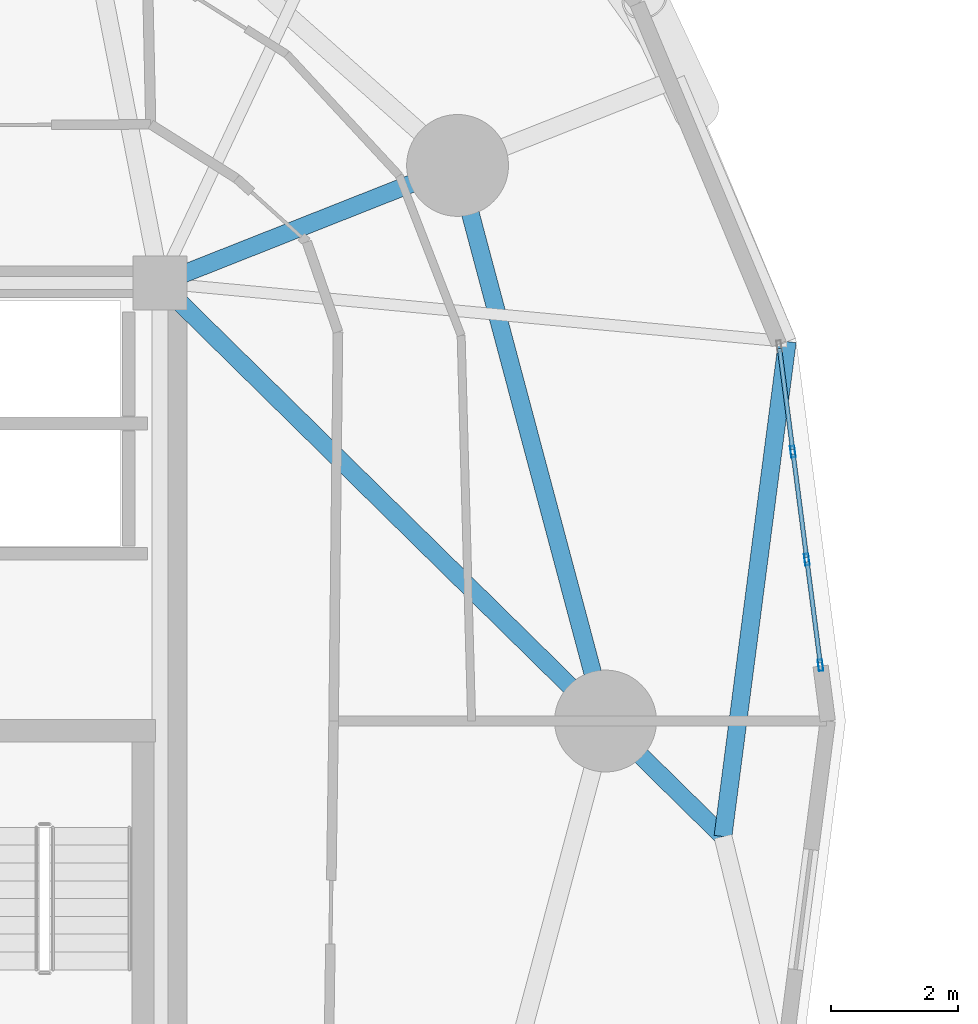
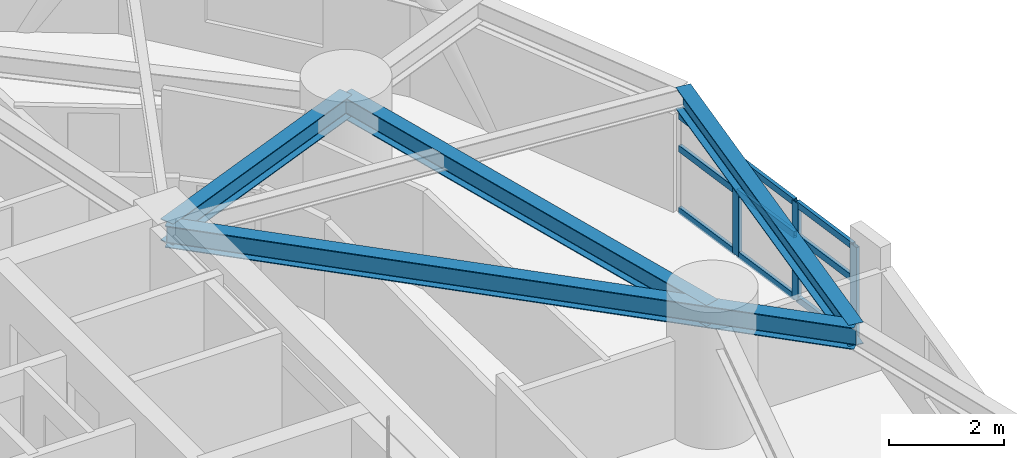
# One storey, part 2 of 16: 12 members, 4 beams, 1 element without a shape of its own.
"""IFC4 building model written with IfcOpenShell, lengths in metres."""

from ifc_helpers import new_model, si_unit, direction, frame, origin, origin_2d, place, context, subcontext, project, spatial, hollow_rectangle, i_section, extrude, material, layer, layer_set, material_profile, profile_set, type_object, element, aggregate, save


model = new_model("IFC4")

# Units and contexts
model_context = context("Model", 3, precision=1e-05, world=origin(), true_north=direction((0.0, 1.0)))
body_context = subcontext(model_context, "Body", "Model", "MODEL_VIEW")
ifc_project = project(units=[si_unit("LENGTHUNIT", "METRE"), si_unit("AREAUNIT", "SQUARE_METRE"), si_unit("VOLUMEUNIT", "CUBIC_METRE"), si_unit("PLANEANGLEUNIT", "RADIAN"), si_unit("MASSUNIT", "GRAM", prefix="KILO")], contexts=[model_context])

# Site, building, storey
site_placement = place(None, origin())
site = spatial("IfcSite", under=ifc_project, at=site_placement, CompositionType="ELEMENT")
building_placement = place(site_placement, origin())
building = spatial("IfcBuilding", under=site, at=building_placement, Name="Cununo Teusaquillo Station Towers", CompositionType="ELEMENT")
storey_placement = place(building_placement, frame((0.0, 0.0, 62.739990234375)))
storey = spatial("IfcBuildingStorey", under=building, at=storey_placement, Name="L19", CompositionType="ELEMENT", Elevation=62.739990234375)

# Beams
ifc_material_1 = material(Name="Steel ASTM A572 Grade 50", Category="steel")
ifc_material_profile_1 = material_profile(ifc_material_1, i_section(OverallWidth=0.280029296875, OverallDepth=0.462890625, WebThickness=0.0107421875, FlangeThickness=0.017333984375, FilletRadius=0.013916015625, at=origin_2d()), Name="W18X76")
ifc_profile_set_1 = profile_set([ifc_material_profile_1], Name="Steel ASTM A572 Grade 50")
beam_type_1 = type_object("IfcBeamType", Name="BM-RAD-G1", PredefinedType="BEAM", material=ifc_profile_set_1)
beam_1_placement = place(storey_placement, frame((21.675048828125, 31.3798828125, 2.338623046875), z_axis=(0.713047137857, -0.701116095375, 0.0), x_axis=(0.701116095375, 0.713047137857, 0.0)))
element("IfcBeam", 1, at=beam_1_placement, inside=storey, type_object=beam_type_1, Name="L19 Tower A Continuous Overhanging Radial Girder 01", PredefinedType="BEAM", context=body_context, shape_type="SweptSolid", body=[
    extrude(i_section(OverallWidth=0.280029296875, OverallDepth=0.462890625, WebThickness=0.0107421875, FlangeThickness=0.017333984375, FilletRadius=0.013916015625, at=origin_2d()), origin(), (0.0, 0.0, 1.0), 12.400390625),
])
beam_2_placement = place(storey_placement, frame((21.675048828125, 31.3798828125, 2.338623046875), z_axis=(0.929864104313, 0.367903176814, 0.0), x_axis=(-0.367903176814, 0.929864104313, 0.0)))
element("IfcBeam", 2, at=beam_2_placement, inside=storey, type_object=beam_type_1, Name="L19 Tower A Radial Girder 02A", PredefinedType="BEAM", context=body_context, shape_type="SweptSolid", body=[
    extrude(i_section(OverallWidth=0.280029296875, OverallDepth=0.462890625, WebThickness=0.0107421875, FlangeThickness=0.017333984375, FilletRadius=0.013916015625, at=origin_2d()), origin(), (0.0, 0.0, 1.0), 5.02490234375),
])
ifc_material_2 = material(Name="Steel ASTM A572 Grade 50", Category="steel")
ifc_material_profile_2 = material_profile(ifc_material_2, i_section(OverallWidth=0.280029296875, OverallDepth=0.462890625, WebThickness=0.0107421875, FlangeThickness=0.017333984375, FilletRadius=0.013916015625, at=origin_2d()), Name="W18X76")
ifc_profile_set_2 = profile_set([ifc_material_profile_2], Name="Steel ASTM A572 Grade 50")
beam_type_2 = type_object("IfcBeamType", Name="BM-RING-Z2", PredefinedType="SPANDREL", material=ifc_profile_set_2)
beam_3_placement = place(storey_placement, frame((28.672119140625, 24.5, 2.338623046875), z_axis=(-0.257363196347, 0.966314744359, 0.0), x_axis=(-0.966314744359, -0.257363196347, 0.0)))
element("IfcBeam", 3, at=beam_3_placement, inside=storey, type_object=beam_type_2, Name="L19 Tower A Structural Column Ring Girder 01", PredefinedType="SPANDREL", context=body_context, shape_type="SweptSolid", body=[
    extrude(i_section(OverallWidth=0.280029296875, OverallDepth=0.462890625, WebThickness=0.0107421875, FlangeThickness=0.017333984375, FilletRadius=0.013916015625, at=origin_2d()), origin(), (0.0, 0.0, 1.0), 9.03271484375),
])
beam_4_placement = place(storey_placement, frame((30.51708984375, 22.685791015625, 2.338623046875), z_axis=(0.12888124113, 0.991660035337, 0.0), x_axis=(-0.991660035337, 0.12888124113, 0.0)))
element("IfcBeam", 4, at=beam_4_placement, inside=storey, type_object=beam_type_2, Name="L19 Tower A Spandrel Ring Beam 01", PredefinedType="SPANDREL", context=body_context, shape_type="SweptSolid", body=[
    extrude(i_section(OverallWidth=0.280029296875, OverallDepth=0.462890625, WebThickness=0.0107421875, FlangeThickness=0.017333984375, FilletRadius=0.013916015625, at=origin_2d()), origin(), (0.0, 0.0, 1.0), 7.840576171875),
])

# Curtain wall, members
ifc_material_3 = material(Name="Operable acoustic tinted low-E double glazing", Category="glass")
ifc_layer = layer(ifc_material_3, 0.179931640625)
ifc_layer_set = layer_set([ifc_layer], Name="Operable acoustic tinted low-E double glazing")
curtain_wall_type = type_object("IfcCurtainWallType", Name="CW-SYS-03", PredefinedType="USERDEFINED", material=ifc_layer_set)
curtain_wall_placement = place(storey_placement, origin())
curtain_wall = element("IfcCurtainWall", 5, at=curtain_wall_placement, inside=storey, type_object=curtain_wall_type, Name="L19 Tower A Facade Curtain Wall C00", ObjectType="OPERABLE GLAZING", PredefinedType="USERDEFINED")
ifc_material_4 = material(Name="Anodised dark bronze aluminium EN AW-6063-T6", Category="aluminium")
ifc_material_profile_3 = material_profile(ifc_material_4, hollow_rectangle(XDim=0.070068359375, YDim=0.179931640625, WallThickness=0.00390625, at=origin_2d()), Name="CW-MULL-70x180")
ifc_profile_set_3 = profile_set([ifc_material_profile_3], Name="Anodised dark bronze aluminium EN AW-6063-T6")
member_type_1 = type_object("IfcMemberType", Name="CWM-180", PredefinedType="MULLION", material=ifc_profile_set_3)
member_1_placement = place(storey_placement, frame((31.615478515625, 28.730224609375, 0.0), z_axis=(0.0, 0.0, 1.0), x_axis=(0.99173073067, 0.128336112783, 0.0)))
member_1 = element("IfcMember", 6, at=member_1_placement, type_object=member_type_1, Name="CW-03 mullion 2", PredefinedType="MULLION", context=body_context, shape_type="SweptSolid", body=[
    extrude(hollow_rectangle(XDim=0.070068359375, YDim=0.179931640625, WallThickness=0.00390625, at=origin_2d()), origin(), (0.0, 0.0, 1.0), 2.0791015625),
])
member_2_placement = place(storey_placement, frame((31.834716796875, 27.03662109375, 0.0), z_axis=(0.0, 0.0, 1.0), x_axis=(0.99173073067, 0.128336112783, 0.0)))
member_2 = element("IfcMember", 7, at=member_2_placement, type_object=member_type_1, Name="CW-03 mullion 3", PredefinedType="MULLION", context=body_context, shape_type="SweptSolid", body=[
    extrude(hollow_rectangle(XDim=0.070068359375, YDim=0.179931640625, WallThickness=0.00390625, at=origin_2d()), origin(), (0.0, 0.0, 1.0), 2.0791015625),
])
member_3_placement = place(storey_placement, frame((32.04931640625, 25.377685546875, 0.0), z_axis=(0.0, 0.0, 1.0), x_axis=(0.99173073067, 0.128336112783, 0.0)))
member_3 = element("IfcMember", 8, at=member_3_placement, type_object=member_type_1, Name="CW-03 mullion 4", PredefinedType="MULLION", context=body_context, shape_type="SweptSolid", body=[
    extrude(hollow_rectangle(XDim=0.070068359375, YDim=0.179931640625, WallThickness=0.00390625, at=origin_2d()), origin(), (0.0, 0.0, 1.0), 2.0791015625),
])
ifc_material_5 = material(Name="Anodised dark bronze aluminium EN AW-6063-T6", Category="aluminium")
ifc_material_profile_4 = material_profile(ifc_material_5, hollow_rectangle(XDim=0.070068359375, YDim=0.139892578125, WallThickness=0.00390625, at=origin_2d()), Name="CW-TRAN-70x140")
ifc_profile_set_4 = profile_set([ifc_material_profile_4], Name="Anodised dark bronze aluminium EN AW-6063-T6")
member_type_2 = type_object("IfcMemberType", Name="CWT-140", PredefinedType="USERDEFINED", material=ifc_profile_set_4)
member_4_placement = place(storey_placement, frame((31.4052734375, 30.3544921875, 0.034912109375), z_axis=(0.128401455372, -0.991722272745, 0.0), x_axis=(0.991722272745, 0.128401455372, 0.0)))
member_4 = element("IfcMember", 9, at=member_4_placement, type_object=member_type_2, Name="CW-03 transom 1.1", ObjectType="TRANSOM", PredefinedType="USERDEFINED", context=body_context, shape_type="SweptSolid", body=[
    extrude(hollow_rectangle(XDim=0.070068359375, YDim=0.139892578125, WallThickness=0.00390625, at=origin_2d()), origin(), (0.0, 0.0, 1.0), 1.602783203125),
])
member_5_placement = place(storey_placement, frame((31.4052734375, 30.3544921875, 1.35107421875), z_axis=(0.128401455372, -0.991722272745, 0.0), x_axis=(0.991722272745, 0.128401455372, 0.0)))
member_5 = element("IfcMember", 10, at=member_5_placement, type_object=member_type_2, Name="CW-03 transom 1.2", ObjectType="TRANSOM", PredefinedType="USERDEFINED", context=body_context, shape_type="SweptSolid", body=[
    extrude(hollow_rectangle(XDim=0.070068359375, YDim=0.139892578125, WallThickness=0.00390625, at=origin_2d()), origin(), (0.0, 0.0, 1.0), 1.602783203125),
])
member_6_placement = place(storey_placement, frame((31.4052734375, 30.3544921875, 2.0439453125), z_axis=(0.128401455372, -0.991722272745, 0.0), x_axis=(0.991722272745, 0.128401455372, 0.0)))
member_6 = element("IfcMember", 11, at=member_6_placement, type_object=member_type_2, Name="CW-03 transom 1.3", ObjectType="TRANSOM", PredefinedType="USERDEFINED", context=body_context, shape_type="SweptSolid", body=[
    extrude(hollow_rectangle(XDim=0.070068359375, YDim=0.139892578125, WallThickness=0.00390625, at=origin_2d()), origin(), (0.0, 0.0, 1.0), 1.602783203125),
])
member_7_placement = place(storey_placement, frame((31.6201171875, 28.695556640625, 0.034912109375), z_axis=(0.128344982832, -0.99172958279, 0.0), x_axis=(0.99172958279, 0.128344982832, 0.0)))
member_7 = element("IfcMember", 12, at=member_7_placement, type_object=member_type_2, Name="CW-03 transom 2.1", ObjectType="TRANSOM", PredefinedType="USERDEFINED", context=body_context, shape_type="SweptSolid", body=[
    extrude(hollow_rectangle(XDim=0.070068359375, YDim=0.139892578125, WallThickness=0.00390625, at=origin_2d()), origin(), (0.0, 0.0, 1.0), 1.6376953125),
])
member_8_placement = place(storey_placement, frame((31.6201171875, 28.695556640625, 1.35107421875), z_axis=(0.128344982832, -0.99172958279, 0.0), x_axis=(0.99172958279, 0.128344982832, 0.0)))
member_8 = element("IfcMember", 13, at=member_8_placement, type_object=member_type_2, Name="CW-03 transom 2.2", ObjectType="TRANSOM", PredefinedType="USERDEFINED", context=body_context, shape_type="SweptSolid", body=[
    extrude(hollow_rectangle(XDim=0.070068359375, YDim=0.139892578125, WallThickness=0.00390625, at=origin_2d()), origin(), (0.0, 0.0, 1.0), 1.6376953125),
])
member_9_placement = place(storey_placement, frame((31.6201171875, 28.695556640625, 2.0439453125), z_axis=(0.128344982832, -0.99172958279, 0.0), x_axis=(0.99172958279, 0.128344982832, 0.0)))
member_9 = element("IfcMember", 14, at=member_9_placement, type_object=member_type_2, Name="CW-03 transom 2.3", ObjectType="TRANSOM", PredefinedType="USERDEFINED", context=body_context, shape_type="SweptSolid", body=[
    extrude(hollow_rectangle(XDim=0.070068359375, YDim=0.139892578125, WallThickness=0.00390625, at=origin_2d()), origin(), (0.0, 0.0, 1.0), 1.6376953125),
])
member_10_placement = place(storey_placement, frame((31.839111328125, 27.001953125, 0.034912109375), z_axis=(0.128401455372, -0.991722272745, 0.0), x_axis=(0.991722272745, 0.128401455372, 0.0)))
member_10 = element("IfcMember", 15, at=member_10_placement, type_object=member_type_2, Name="CW-03 transom 3.1", ObjectType="TRANSOM", PredefinedType="USERDEFINED", context=body_context, shape_type="SweptSolid", body=[
    extrude(hollow_rectangle(XDim=0.070068359375, YDim=0.139892578125, WallThickness=0.00390625, at=origin_2d()), origin(), (0.0, 0.0, 1.0), 1.602783203125),
])
member_11_placement = place(storey_placement, frame((31.839111328125, 27.001953125, 1.35107421875), z_axis=(0.128401455372, -0.991722272745, 0.0), x_axis=(0.991722272745, 0.128401455372, 0.0)))
member_11 = element("IfcMember", 16, at=member_11_placement, type_object=member_type_2, Name="CW-03 transom 3.2", ObjectType="TRANSOM", PredefinedType="USERDEFINED", context=body_context, shape_type="SweptSolid", body=[
    extrude(hollow_rectangle(XDim=0.070068359375, YDim=0.139892578125, WallThickness=0.00390625, at=origin_2d()), origin(), (0.0, 0.0, 1.0), 1.602783203125),
])
member_12_placement = place(storey_placement, frame((31.839111328125, 27.001953125, 2.0439453125), z_axis=(0.128401455372, -0.991722272745, 0.0), x_axis=(0.991722272745, 0.128401455372, 0.0)))
member_12 = element("IfcMember", 17, at=member_12_placement, type_object=member_type_2, Name="CW-03 transom 3.3", ObjectType="TRANSOM", PredefinedType="USERDEFINED", context=body_context, shape_type="SweptSolid", body=[
    extrude(hollow_rectangle(XDim=0.070068359375, YDim=0.139892578125, WallThickness=0.00390625, at=origin_2d()), origin(), (0.0, 0.0, 1.0), 1.602783203125),
])
aggregate(curtain_wall, [member_1, member_2, member_3, member_4, member_5, member_6, member_7, member_8, member_9, member_10, member_11, member_12])

save(model, "model.ifc")
